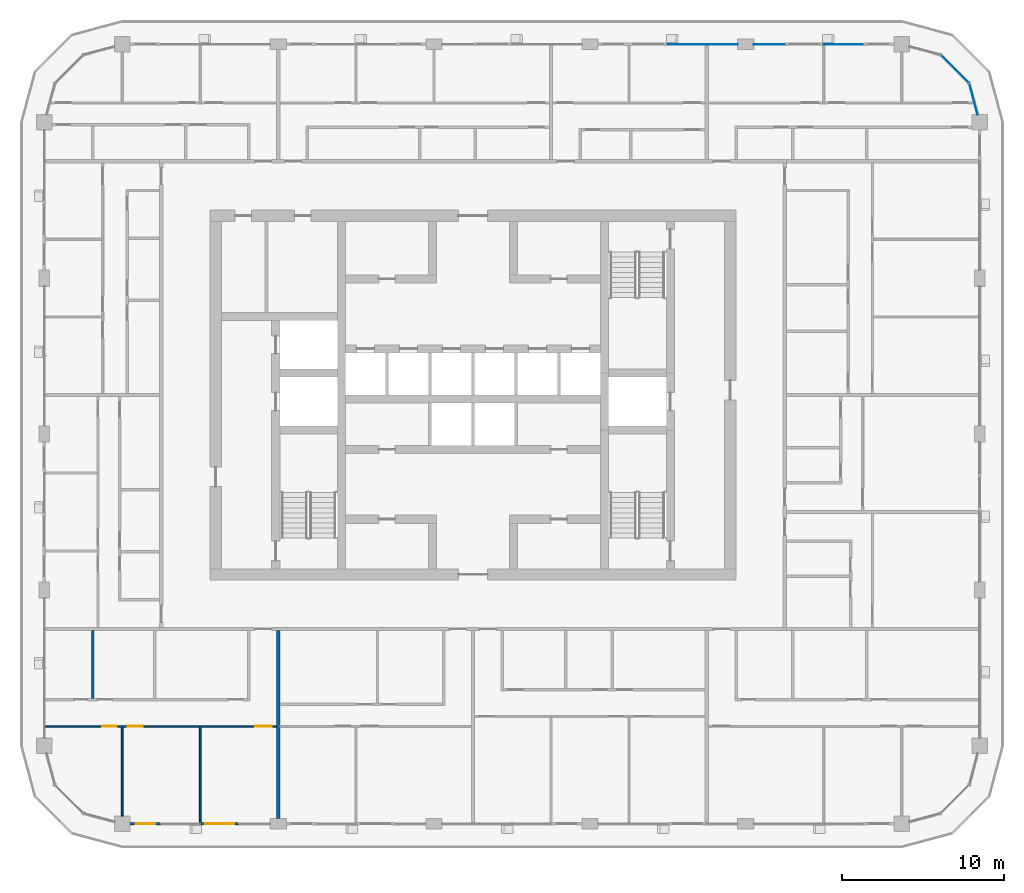
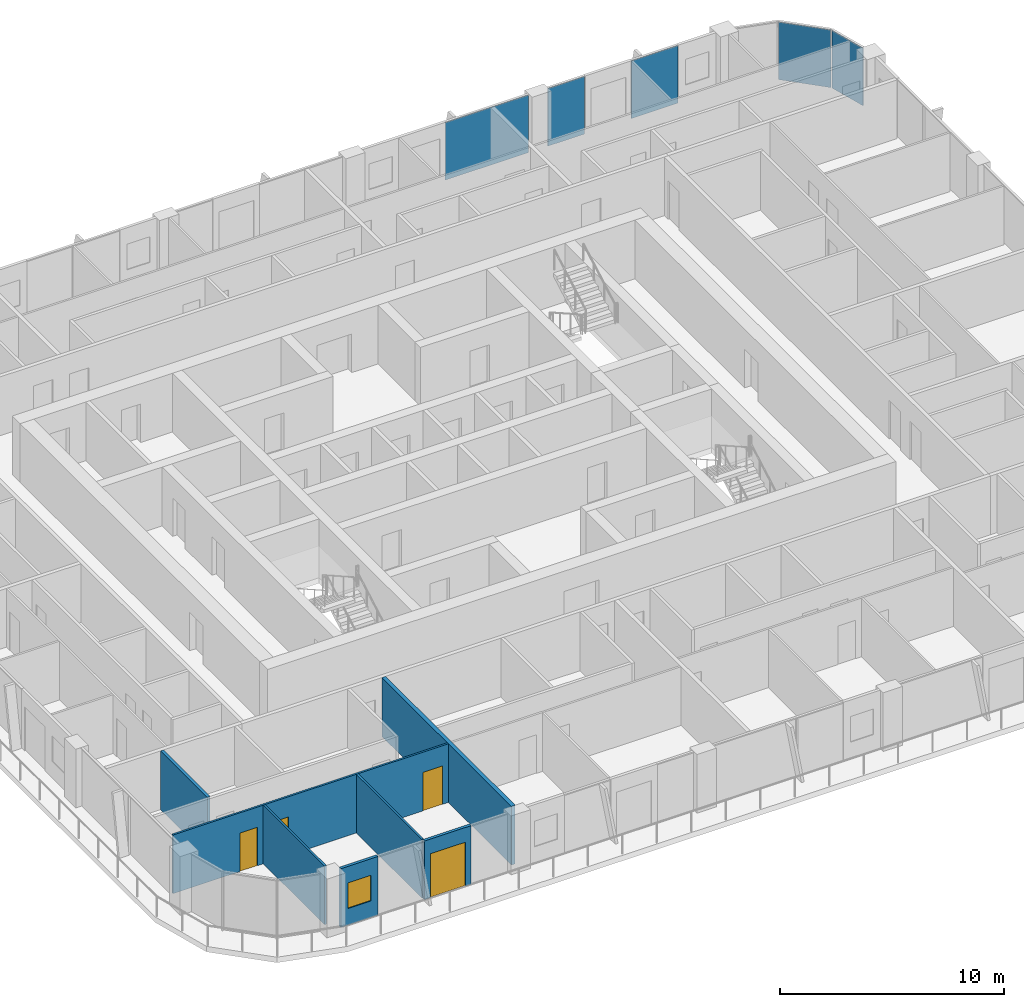
# One storey, part 8 of 21: 7 walls, 5 plates, 4 doors, 1 window, 5 openings, 3 elements without a shape of their own.
"""IFC4 building model written with IfcOpenShell, lengths in metres."""

from ifc_helpers import new_model, si_unit, direction, frame, frame_2d, origin, origin_2d, place, context, subcontext, project, spatial, rectangle, extrude, material, layer, layer_set, type_object, element, fill, aggregate, save


model = new_model("IFC4")

# Units and contexts
model_context = context("Model", 3, precision=1e-05, world=origin(), true_north=direction((0.0, 1.0)))
body_context = subcontext(model_context, "Body", "Model", "MODEL_VIEW")
ifc_project = project(units=[si_unit("LENGTHUNIT", "METRE"), si_unit("AREAUNIT", "SQUARE_METRE"), si_unit("VOLUMEUNIT", "CUBIC_METRE"), si_unit("PLANEANGLEUNIT", "RADIAN"), si_unit("MASSUNIT", "GRAM", prefix="KILO")], contexts=[model_context])

# Site, building, storey
site_placement = place(None, origin())
site = spatial("IfcSite", under=ifc_project, at=site_placement, CompositionType="ELEMENT")
building_placement = place(site_placement, origin())
building = spatial("IfcBuilding", under=site, at=building_placement, Name="Madar Terraces", CompositionType="ELEMENT")
storey_placement = place(building_placement, frame((0.0, 0.0, 196.39990234375)))
storey = spatial("IfcBuildingStorey", under=building, at=storey_placement, Name="L51", CompositionType="ELEMENT", Elevation=196.39990234375)

# Curtain wall, plates
ifc_material_1 = material(Name="Glass, ceramic frit dark grey, with black aluminium frame", Category="aluminium")
ifc_layer_1 = layer(ifc_material_1, 0.199951171875)
ifc_layer_set_1 = layer_set([ifc_layer_1], Name="Facade curtain wall, fritted glass")
curtain_wall_type = type_object("IfcCurtainWallType", Name="Facade curtain wall, fritted glass", PredefinedType="NOTDEFINED", material=ifc_layer_set_1)
curtain_wall_1_placement = place(storey_placement, origin())
curtain_wall_1 = element("IfcCurtainWall", 1, at=curtain_wall_1_placement, inside=storey, type_object=curtain_wall_type, Name="Outer skin curtain wall north bay 1", PredefinedType="NOTDEFINED")
ifc_material_2 = material(Name="Glass, ceramic frit dark grey", Category="glass")
ifc_layer_2 = layer(ifc_material_2, 0.028076171875)
ifc_layer_set_2 = layer_set([ifc_layer_2], Name="Facade glass panel 28")
plate_type = type_object("IfcPlateType", Name="Facade glass panel 28", PredefinedType="CURTAIN_PANEL", material=ifc_layer_set_2)
plate_1_placement = place(storey_placement, frame((54.0, 48.0, 0.0), z_axis=(0.0, 0.0, 1.0), x_axis=(-1.0, 0.0, 0.0)))
plate_1 = element("IfcPlate", 2, at=plate_1_placement, type_object=plate_type, Name="Panel 1", PredefinedType="CURTAIN_PANEL", context=body_context, shape_type="SweptSolid", body=[
    extrude(rectangle(XDim=2.39990234375, YDim=0.028076171875, at=origin_2d()), origin(), (0.0, 0.0, 1.0), 3.139892578125),
])
plate_2_placement = place(storey_placement, frame((49.449951171875, 48.0, 0.0), z_axis=(0.0, 0.0, 1.0), x_axis=(-1.0, 0.0, 0.0)))
plate_2 = element("IfcPlate", 3, at=plate_2_placement, type_object=plate_type, Name="Panel 2", PredefinedType="CURTAIN_PANEL", context=body_context, shape_type="SweptSolid", body=[
    extrude(rectangle(XDim=1.89990234375, YDim=0.028076171875, at=origin_2d()), origin(), (0.0, 0.0, 1.0), 3.139892578125),
])
aggregate(curtain_wall_1, [plate_1, plate_2])

# Curtain wall, plate
curtain_wall_2_placement = place(storey_placement, origin())
curtain_wall_2 = element("IfcCurtainWall", 4, at=curtain_wall_2_placement, inside=storey, type_object=curtain_wall_type, Name="Outer skin curtain wall north bay 2", PredefinedType="NOTDEFINED")
plate_3_placement = place(storey_placement, frame((45.35009765625, 48.0, 0.0), z_axis=(0.0, 0.0, 1.0), x_axis=(-1.0, 0.0, 0.0)))
plate_3 = element("IfcPlate", 5, at=plate_3_placement, type_object=plate_type, Name="Panel 1", PredefinedType="CURTAIN_PANEL", context=body_context, shape_type="SweptSolid", body=[
    extrude(rectangle(XDim=4.300048828125, YDim=0.028076171875, at=origin_2d()), origin(), (0.0, 0.0, 1.0), 3.139892578125),
])
aggregate(curtain_wall_2, [plate_3])

# Curtain wall, plates
curtain_wall_3_placement = place(storey_placement, origin())
curtain_wall_3 = element("IfcCurtainWall", 6, at=curtain_wall_3_placement, inside=storey, type_object=curtain_wall_type, Name="Outer skin curtain wall north-east corner", PredefinedType="NOTDEFINED")
plate_4_placement = place(storey_placement, frame((62.018798828125, 44.623046875, 0.0), z_axis=(0.0, 0.0, 1.0), x_axis=(-0.258819021888, 0.965925832509, 0.0)))
plate_4 = element("IfcPlate", 7, at=plate_4_placement, type_object=plate_type, Name="Panel 1", PredefinedType="CURTAIN_PANEL", context=body_context, shape_type="SweptSolid", body=[
    extrude(rectangle(XDim=1.962890625, YDim=0.028076171875, at=origin_2d()), origin(), (0.0, 0.0, 1.0), 3.139892578125),
])
plate_5_placement = place(storey_placement, frame((60.87841796875, 46.478515625, 0.0), z_axis=(0.0, 0.0, 1.0), x_axis=(-0.707106781187, 0.707106781187, 0.0)))
plate_5 = element("IfcPlate", 8, at=plate_5_placement, type_object=plate_type, Name="Panel 2", PredefinedType="CURTAIN_PANEL", context=body_context, shape_type="SweptSolid", body=[
    extrude(rectangle(XDim=2.424560546875, YDim=0.028076171875, at=origin_2d()), origin(), (0.0, 0.0, 1.0), 3.139892578125),
])
aggregate(curtain_wall_3, [plate_4, plate_5])

# Wall, opening, window
ifc_material_3 = material(Name="Aluminium composite panel, black, over insulated backing", Category="aluminium")
ifc_layer_3 = layer(ifc_material_3, 0.14990234375)
ifc_layer_set_3 = layer_set([ifc_layer_3], Name="Facade bay panel 150")
wall_type_1 = type_object("IfcWallType", Name="Facade bay panel 150", PredefinedType="SOLIDWALL", material=ifc_layer_set_3)
wall_1_placement = place(storey_placement, frame((10.074951171875, 0.0, 0.0), z_axis=(0.0, 0.0, 1.0), x_axis=(1.0, 0.0, 0.0)))
wall_1 = element("IfcWall", 9, at=wall_1_placement, inside=storey, type_object=wall_type_1, Name="Facade bay panel", PredefinedType="SOLIDWALL", context=body_context, shape_type="SweptSolid", body=[
    extrude(rectangle(XDim=1.925048828125, YDim=0.14990234375, at=frame_2d((0.96240234375, 0.0))), origin(), (0.0, 0.0, 1.0), 3.2001953125),
])
opening_1_placement = place(wall_1_placement, frame((0.362548828125, 0.0, 0.89990234375)))
opening_1 = element("IfcOpeningElement", 10, at=opening_1_placement, cuts=wall_1, Name="Opening W1", PredefinedType="OPENING", context=body_context, shape_type="SweptSolid", body=[
    extrude(rectangle(XDim=1.199951171875, YDim=1.39990234375, at=frame_2d((0.60009765625, 0.699951171875))), frame((0.0, 0.0849609375, 0.0), z_axis=(0.0, -1.0, 0.0), x_axis=(1.0, 0.0, 0.0)), (0.0, 0.0, 1.0), 0.169921875),
])
ifc_material_4 = material(Name="Glass, clear, with black aluminium frame", Category="aluminium")
window_type = type_object("IfcWindowType", Name="Vent window 1200 x 1400", PartitioningType="SINGLE_PANEL", PredefinedType="WINDOW", material=ifc_material_4)
window_placement = place(opening_1_placement, origin())
window = element("IfcWindow", 11, at=window_placement, inside=storey, type_object=window_type, Name="Operable vent window", OverallHeight=1.39990234375, OverallWidth=1.199951171875, PartitioningType="SINGLE_PANEL", PredefinedType="WINDOW", context=body_context, shape_type="SweptSolid", body=[
    extrude(rectangle(XDim=1.199951171875, YDim=1.39990234375, at=frame_2d((0.60009765625, 0.699951171875))), frame((0.0, 0.030029296875, 0.0), z_axis=(0.0, -1.0, 0.0), x_axis=(1.0, 0.0, 0.0)), (0.0, 0.0, 1.0), 0.06005859375),
])
fill(opening_1, window)

# Wall, opening, door
wall_2_placement = place(storey_placement, frame((14.39990234375, 0.0, 0.0), z_axis=(0.0, 0.0, 1.0), x_axis=(1.0, 0.0, 0.0)))
wall_2 = element("IfcWall", 12, at=wall_2_placement, inside=storey, type_object=wall_type_1, Name="Facade bay panel", PredefinedType="SOLIDWALL", context=body_context, shape_type="SweptSolid", body=[
    extrude(rectangle(XDim=2.400146484375, YDim=0.14990234375, at=frame_2d((1.2001953125, 0.0))), origin(), (0.0, 0.0, 1.0), 3.2001953125),
])
opening_2_placement = place(wall_2_placement, frame((0.300048828125, 0.0, 0.0)))
opening_2 = element("IfcOpeningElement", 13, at=opening_2_placement, cuts=wall_2, Name="Opening ED1", PredefinedType="OPENING", context=body_context, shape_type="SweptSolid", body=[
    extrude(rectangle(XDim=1.800048828125, YDim=2.39990234375, at=frame_2d((0.89990234375, 1.199951171875))), frame((0.0, 0.0849609375, 0.0), z_axis=(0.0, -1.0, 0.0), x_axis=(1.0, 0.0, 0.0)), (0.0, 0.0, 1.0), 0.169921875),
])
ifc_material_5 = material(Name="Glass, clear, with black aluminium frame", Category="aluminium")
door_type_1 = type_object("IfcDoorType", Name="Balcony and terrace sliding door 1800 x 2400", OperationType="SLIDING_TO_LEFT", PredefinedType="DOOR", material=ifc_material_5)
door_1_placement = place(opening_2_placement, origin())
door_1 = element("IfcDoor", 14, at=door_1_placement, inside=storey, type_object=door_type_1, Name="Balcony door", OperationType="SLIDING_TO_LEFT", OverallHeight=2.39990234375, OverallWidth=1.800048828125, PredefinedType="DOOR", context=body_context, shape_type="SweptSolid", body=[
    extrude(rectangle(XDim=1.800048828125, YDim=2.39990234375, at=frame_2d((0.89990234375, 1.199951171875))), frame((0.0, 0.02490234375, 0.0), z_axis=(0.0, -1.0, 0.0), x_axis=(1.0, 0.0, 0.0)), (0.0, 0.0, 1.0), 0.050048828125),
])
fill(opening_2, door_1)

# Walls
ifc_material_6 = material(Name="Gypsum board on steel studs", Category="steel")
ifc_layer_4 = layer(ifc_material_6, 0.10009765625)
ifc_layer_set_4 = layer_set([ifc_layer_4], Name="Flat partition 100")
wall_type_2 = type_object("IfcWallType", Name="Flat partition 100", PredefinedType="PARTITIONING", material=ifc_layer_set_4)
wall_3_placement = place(storey_placement, frame((14.39990234375, 5.949951171875, 0.0), z_axis=(0.0, 0.0, 1.0), x_axis=(0.0, -1.0, 0.0)))
element("IfcWall", 15, at=wall_3_placement, inside=storey, type_object=wall_type_2, Name="Flat partition 100", PredefinedType="PARTITIONING", context=body_context, shape_type="SweptSolid", body=[
    extrude(rectangle(XDim=5.849853515625, YDim=0.10009765625, at=frame_2d((2.9248046875, 0.0))), origin(), (0.0, 0.0, 1.0), 3.2001953125),
])
wall_4_placement = place(storey_placement, frame((9.60009765625, 5.949951171875, 0.0), z_axis=(0.0, 0.0, 1.0), x_axis=(0.0, -1.0, 0.0)))
element("IfcWall", 16, at=wall_4_placement, inside=storey, type_object=wall_type_2, Name="Flat partition 100", PredefinedType="PARTITIONING", context=body_context, shape_type="SweptSolid", body=[
    extrude(rectangle(XDim=5.474853515625, YDim=0.10009765625, at=frame_2d((2.7373046875, 0.0))), origin(), (0.0, 0.0, 1.0), 3.2001953125),
])

# Wall, openings, doors
wall_5_placement = place(storey_placement, frame((19.10009765625, 6.0, 0.0), z_axis=(0.0, 0.0, 1.0), x_axis=(-1.0, 0.0, 0.0)))
wall_5 = element("IfcWall", 17, at=wall_5_placement, inside=storey, type_object=wall_type_2, Name="Flat partition 100", PredefinedType="PARTITIONING", context=body_context, shape_type="SweptSolid", body=[
    extrude(rectangle(XDim=14.2001953125, YDim=0.10009765625, at=frame_2d((7.10009765625, 0.0))), origin(), (0.0, 0.0, 1.0), 3.2001953125),
])
opening_3_placement = place(wall_5_placement, frame((0.300048828125, 0.0, 0.0)))
opening_3 = element("IfcOpeningElement", 18, at=opening_3_placement, cuts=wall_5, Name="Opening D3", PredefinedType="OPENING", context=body_context, shape_type="SweptSolid", body=[
    extrude(rectangle(XDim=1.0, YDim=2.10009765625, at=frame_2d((0.5, 1.050048828125))), frame((0.0, 0.06005859375, 0.0), z_axis=(0.0, -1.0, 0.0), x_axis=(1.0, 0.0, 0.0)), (0.0, 0.0, 1.0), 0.1201171875),
])
opening_4_placement = place(wall_5_placement, frame((8.25, 0.0, 0.0)))
opening_4 = element("IfcOpeningElement", 19, at=opening_4_placement, cuts=wall_5, Name="Opening D2", PredefinedType="OPENING", context=body_context, shape_type="SweptSolid", body=[
    extrude(rectangle(XDim=0.89990234375, YDim=2.10009765625, at=frame_2d((0.449951171875, 1.050048828125))), frame((0.0, 0.06005859375, 0.0), z_axis=(0.0, -1.0, 0.0), x_axis=(1.0, 0.0, 0.0)), (0.0, 0.0, 1.0), 0.1201171875),
])
opening_5_placement = place(wall_5_placement, frame((9.85009765625, 0.0, 0.0)))
opening_5 = element("IfcOpeningElement", 20, at=opening_5_placement, cuts=wall_5, Name="Opening D2", PredefinedType="OPENING", context=body_context, shape_type="SweptSolid", body=[
    extrude(rectangle(XDim=0.89990234375, YDim=2.10009765625, at=frame_2d((0.449951171875, 1.050048828125))), frame((0.0, 0.06005859375, 0.0), z_axis=(0.0, -1.0, 0.0), x_axis=(1.0, 0.0, 0.0)), (0.0, 0.0, 1.0), 0.1201171875),
])
ifc_material_7 = material(Name="Timber door leaf", Category="wood")
door_type_2 = type_object("IfcDoorType", Name="Flat living room door 1000", OperationType="NOTDEFINED", PredefinedType="DOOR", material=ifc_material_7)
door_2_placement = place(opening_3_placement, origin())
door_2 = element("IfcDoor", 21, at=door_2_placement, inside=storey, type_object=door_type_2, Name="Flat living room door 1000", OperationType="SINGLE_SWING_LEFT", OverallHeight=2.10009765625, OverallWidth=1.0, PredefinedType="DOOR", context=body_context, shape_type="SweptSolid", body=[
    extrude(rectangle(XDim=1.0, YDim=2.10009765625, at=frame_2d((0.5, 1.050048828125))), frame((0.0, 0.02490234375, 0.0), z_axis=(0.0, -1.0, 0.0), x_axis=(1.0, 0.0, 0.0)), (0.0, 0.0, 1.0), 0.050048828125),
])
fill(opening_3, door_2)
ifc_material_8 = material(Name="Timber door leaf", Category="wood")
door_type_3 = type_object("IfcDoorType", Name="Flat room door 900", OperationType="NOTDEFINED", PredefinedType="DOOR", material=ifc_material_8)
door_3_placement = place(opening_4_placement, origin())
door_3 = element("IfcDoor", 22, at=door_3_placement, inside=storey, type_object=door_type_3, Name="Flat room door 900", OperationType="SINGLE_SWING_RIGHT", OverallHeight=2.10009765625, OverallWidth=0.89990234375, PredefinedType="DOOR", context=body_context, shape_type="SweptSolid", body=[
    extrude(rectangle(XDim=0.89990234375, YDim=2.10009765625, at=frame_2d((0.449951171875, 1.050048828125))), frame((0.0, 0.02490234375, 0.0), z_axis=(0.0, -1.0, 0.0), x_axis=(1.0, 0.0, 0.0)), (0.0, 0.0, 1.0), 0.050048828125),
])
fill(opening_4, door_3)
door_4_placement = place(opening_5_placement, origin())
door_4 = element("IfcDoor", 23, at=door_4_placement, inside=storey, type_object=door_type_3, Name="Flat room door 900", OperationType="SINGLE_SWING_LEFT", OverallHeight=2.10009765625, OverallWidth=0.89990234375, PredefinedType="DOOR", context=body_context, shape_type="SweptSolid", body=[
    extrude(rectangle(XDim=0.89990234375, YDim=2.10009765625, at=frame_2d((0.449951171875, 1.050048828125))), frame((0.0, 0.02490234375, 0.0), z_axis=(0.0, -1.0, 0.0), x_axis=(1.0, 0.0, 0.0)), (0.0, 0.0, 1.0), 0.050048828125),
])
fill(opening_5, door_4)

# Walls
ifc_material_9 = material(Name="Lightweight blockwork", Category="masonry")
ifc_layer_5 = layer(ifc_material_9, 0.199951171875)
ifc_layer_set_5 = layer_set([ifc_layer_5], Name="Flat party and entrance wall 200")
wall_type_3 = type_object("IfcWallType", Name="Flat party and entrance wall 200", PredefinedType="PARTITIONING", material=ifc_layer_set_5)
wall_6_placement = place(storey_placement, frame((19.199951171875, 11.89990234375, 0.0), z_axis=(0.0, 0.0, 1.0), x_axis=(0.0, -1.0, 0.0)))
element("IfcWall", 24, at=wall_6_placement, inside=storey, type_object=wall_type_3, Name="Flat party and entrance wall 200", PredefinedType="PARTITIONING", context=body_context, shape_type="SweptSolid", body=[
    extrude(rectangle(XDim=11.574951171875, YDim=0.199951171875, at=frame_2d((5.78759765625, 0.0))), origin(), (0.0, 0.0, 1.0), 3.2001953125),
])
ifc_material_10 = material(Name="Lightweight blockwork", Category="masonry")
ifc_layer_6 = layer(ifc_material_10, 0.14990234375)
ifc_layer_set_6 = layer_set([ifc_layer_6], Name="Flat wet-room partition 150")
wall_type_4 = type_object("IfcWallType", Name="Flat wet-room partition 150", PredefinedType="PARTITIONING", material=ifc_layer_set_6)
wall_7_placement = place(storey_placement, frame((7.767333984375, 11.89990234375, 0.0), z_axis=(0.0, 0.0, 1.0), x_axis=(0.0, -1.0, 0.0)))
element("IfcWall", 25, at=wall_7_placement, inside=storey, type_object=wall_type_4, Name="Flat wet-room partition 150", PredefinedType="PARTITIONING", context=body_context, shape_type="SweptSolid", body=[
    extrude(rectangle(XDim=4.1748046875, YDim=0.14990234375, at=frame_2d((2.08740234375, 0.0))), origin(), (0.0, 0.0, 1.0), 3.2001953125),
])

save(model, "model.ifc")
